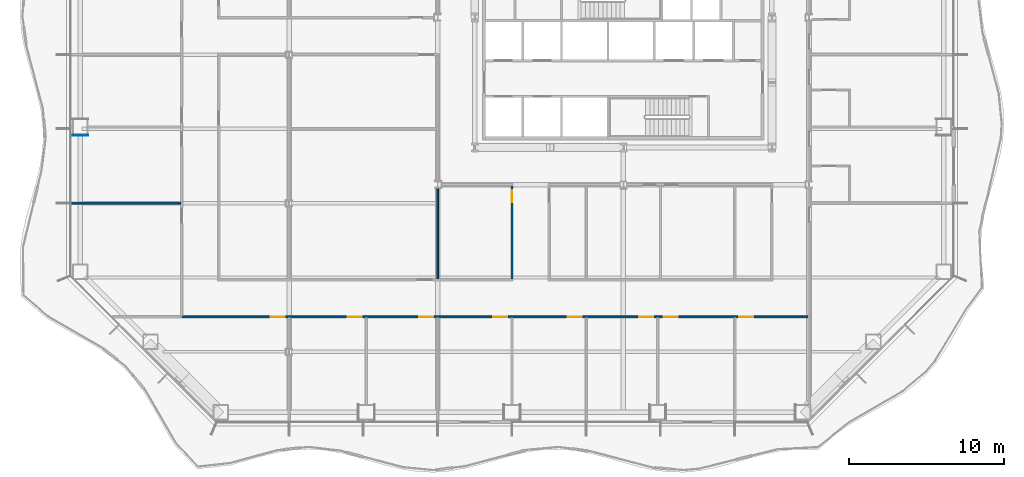
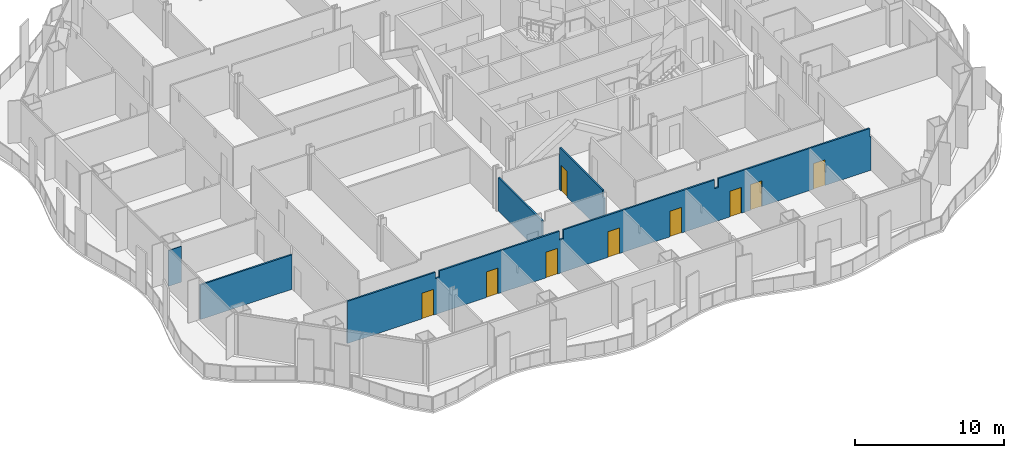
# One storey, part 7 of 21: 9 doors, 5 walls, 9 openings.
"""IFC4 building model written with IfcOpenShell, lengths in metres."""

from ifc_helpers import new_model, si_unit, direction, frame, frame_2d, origin, place, context, subcontext, project, spatial, polyline, rectangle, outline, extrude, material, layer, layer_set, type_object, element, fill, save


model = new_model("IFC4")

# Units and contexts
model_context = context("Model", 3, precision=1e-05, world=origin(), true_north=direction((0.0, 1.0)))
body_context = subcontext(model_context, "Body", "Model", "MODEL_VIEW")
ifc_project = project(units=[si_unit("LENGTHUNIT", "METRE"), si_unit("AREAUNIT", "SQUARE_METRE"), si_unit("VOLUMEUNIT", "CUBIC_METRE"), si_unit("PLANEANGLEUNIT", "RADIAN"), si_unit("MASSUNIT", "GRAM", prefix="KILO")], contexts=[model_context])

# Site, building, storey
site_placement = place(None, origin())
site = spatial("IfcSite", under=ifc_project, at=site_placement, CompositionType="ELEMENT")
building_placement = place(site_placement, origin())
building = spatial("IfcBuilding", under=site, at=building_placement, Name="Cairn Pilgrim Tower", CompositionType="ELEMENT")
storey_placement = place(building_placement, frame((0.0, 0.0, 54.60009765625)))
storey = spatial("IfcBuildingStorey", under=building, at=storey_placement, Name="L11", CompositionType="ELEMENT", Elevation=54.60009765625)

# Wall, openings, doors
ifc_material_1 = material(Name="Gypsum partition")
ifc_layer_1 = layer(ifc_material_1, 0.125)
ifc_layer_set_1 = layer_set([ifc_layer_1], Name="PARTITION 125 DRYWALL EI 60")
wall_type_1 = type_object("IfcWallType", Name="PARTITION 125 DRYWALL EI 60", PredefinedType="PARTITIONING", material=ifc_layer_set_1)
wall_1_placement = place(storey_placement, frame((-21.35009765625, -16.949951171875, 0.0), z_axis=(0.0, 0.0, 1.0), x_axis=(1.0, 0.0, 0.0)))
wall_1 = element("IfcWall", 1, at=wall_1_placement, inside=storey, type_object=wall_type_1, Name="PARTITION W013", PredefinedType="PARTITIONING", context=body_context, shape_type="SweptSolid", body=[
    extrude(outline(polyline([(0.0, 0.0), (40.487548828125, 0.0), (40.487548828125, 2.72998046875), (40.39990234375, 2.72998046875), (40.39794921875, 3.449951171875), (28.699951171875, 3.449951171875), (28.697998046875, 2.72998046875), (28.39990234375, 2.72998046875), (28.39794921875, 3.449951171875), (16.699951171875, 3.449951171875), (16.697998046875, 2.72998046875), (16.39990234375, 2.72998046875), (16.39794921875, 3.449951171875), (7.10009765625, 3.449951171875), (7.097900390625, 2.929931640625), (6.800048828125, 2.929931640625), (6.798095703125, 3.449951171875), (0.0, 3.449951171875), (0.0, 0.0)])), frame((0.0, 0.0625, 0.0), z_axis=(0.0, -1.0, 0.0), x_axis=(1.0, 0.0, 0.0)), (0.0, 0.0, 1.0), 0.125),
])
opening_1_placement = place(wall_1_placement, frame((5.75, 0.0, 0.0)))
opening_1 = element("IfcOpeningElement", 2, at=opening_1_placement, cuts=wall_1, Name="Opening 1101", PredefinedType="OPENING", context=body_context, shape_type="SweptSolid", body=[
    extrude(rectangle(XDim=0.89990234375, YDim=2.10009765625, at=frame_2d((0.449951171875, 1.050048828125))), frame((0.0, 0.072509765625, 0.0), z_axis=(0.0, -1.0, 0.0), x_axis=(1.0, 0.0, 0.0)), (0.0, 0.0, 1.0), 0.14501953125),
])
opening_2_placement = place(wall_1_placement, frame((10.736083984375, 0.0, 0.0)))
opening_2 = element("IfcOpeningElement", 3, at=opening_2_placement, cuts=wall_1, Name="Opening 1102", PredefinedType="OPENING", context=body_context, shape_type="SweptSolid", body=[
    extrude(rectangle(XDim=0.89990234375, YDim=2.10009765625, at=frame_2d((0.449951171875, 1.050048828125))), frame((0.0, 0.072509765625, 0.0), z_axis=(0.0, -1.0, 0.0), x_axis=(1.0, 0.0, 0.0)), (0.0, 0.0, 1.0), 0.14501953125),
])
opening_3_placement = place(wall_1_placement, frame((15.35009765625, 0.0, 0.0)))
opening_3 = element("IfcOpeningElement", 4, at=opening_3_placement, cuts=wall_1, Name="Opening 1103", PredefinedType="OPENING", context=body_context, shape_type="SweptSolid", body=[
    extrude(rectangle(XDim=0.89990234375, YDim=2.10009765625, at=frame_2d((0.449951171875, 1.050048828125))), frame((0.0, 0.072509765625, 0.0), z_axis=(0.0, -1.0, 0.0), x_axis=(1.0, 0.0, 0.0)), (0.0, 0.0, 1.0), 0.14501953125),
])
opening_4_placement = place(wall_1_placement, frame((20.14990234375, 0.0, 0.0)))
opening_4 = element("IfcOpeningElement", 5, at=opening_4_placement, cuts=wall_1, Name="Opening 1104", PredefinedType="OPENING", context=body_context, shape_type="SweptSolid", body=[
    extrude(rectangle(XDim=0.89990234375, YDim=2.10009765625, at=frame_2d((0.449951171875, 1.050048828125))), frame((0.0, 0.072509765625, 0.0), z_axis=(0.0, -1.0, 0.0), x_axis=(1.0, 0.0, 0.0)), (0.0, 0.0, 1.0), 0.14501953125),
])
opening_5_placement = place(wall_1_placement, frame((24.949951171875, 0.0, 0.0)))
opening_5 = element("IfcOpeningElement", 6, at=opening_5_placement, cuts=wall_1, Name="Opening 1105", PredefinedType="OPENING", context=body_context, shape_type="SweptSolid", body=[
    extrude(rectangle(XDim=0.89990234375, YDim=2.10009765625, at=frame_2d((0.449951171875, 1.050048828125))), frame((0.0, 0.072509765625, 0.0), z_axis=(0.0, -1.0, 0.0), x_axis=(1.0, 0.0, 0.0)), (0.0, 0.0, 1.0), 0.14501953125),
])
opening_6_placement = place(wall_1_placement, frame((29.56396484375, 0.0, 0.0)))
opening_6 = element("IfcOpeningElement", 7, at=opening_6_placement, cuts=wall_1, Name="Opening 1106", PredefinedType="OPENING", context=body_context, shape_type="SweptSolid", body=[
    extrude(rectangle(XDim=0.89990234375, YDim=2.10009765625, at=frame_2d((0.449951171875, 1.050048828125))), frame((0.0, 0.072509765625, 0.0), z_axis=(0.0, -1.0, 0.0), x_axis=(1.0, 0.0, 0.0)), (0.0, 0.0, 1.0), 0.14501953125),
])
opening_7_placement = place(wall_1_placement, frame((31.14990234375, 0.0, 0.0)))
opening_7 = element("IfcOpeningElement", 8, at=opening_7_placement, cuts=wall_1, Name="Opening 1107", PredefinedType="OPENING", context=body_context, shape_type="SweptSolid", body=[
    extrude(rectangle(XDim=0.89990234375, YDim=2.10009765625, at=frame_2d((0.449951171875, 1.050048828125))), frame((0.0, 0.072509765625, 0.0), z_axis=(0.0, -1.0, 0.0), x_axis=(1.0, 0.0, 0.0)), (0.0, 0.0, 1.0), 0.14501953125),
])
opening_8_placement = place(wall_1_placement, frame((36.050048828125, 0.0, 0.0)))
opening_8 = element("IfcOpeningElement", 9, at=opening_8_placement, cuts=wall_1, Name="Opening 1108", PredefinedType="OPENING", context=body_context, shape_type="SweptSolid", body=[
    extrude(rectangle(XDim=0.89990234375, YDim=2.10009765625, at=frame_2d((0.449951171875, 1.050048828125))), frame((0.0, 0.072509765625, 0.0), z_axis=(0.0, -1.0, 0.0), x_axis=(1.0, 0.0, 0.0)), (0.0, 0.0, 1.0), 0.14501953125),
])
ifc_material_2 = material(Name="Steel-faced fire door leaf", Category="steel")
door_type_1 = type_object("IfcDoorType", Name="FIRE DOOR 900x2100 FD30S", OperationType="NOTDEFINED", PredefinedType="DOOR", material=ifc_material_2)
door_1_placement = place(opening_1_placement, frame((0.89990234375, 0.0, 0.0), z_axis=(0.0, 0.0, 1.0), x_axis=(-1.0, 0.0, 0.0)))
door_1 = element("IfcDoor", 10, at=door_1_placement, inside=storey, type_object=door_type_1, Name="DOOR 1101", OperationType="SINGLE_SWING_RIGHT", OverallHeight=2.10009765625, OverallWidth=0.89990234375, PredefinedType="DOOR", context=body_context, shape_type="SweptSolid", body=[
    extrude(rectangle(XDim=0.89990234375, YDim=2.10009765625, at=frame_2d((0.449951171875, 1.050048828125))), frame((0.0, 0.02490234375, 0.0), z_axis=(0.0, -1.0, 0.0), x_axis=(1.0, 0.0, 0.0)), (0.0, 0.0, 1.0), 0.050048828125),
])
fill(opening_1, door_1)
door_2_placement = place(opening_2_placement, frame((0.89990234375, 0.0, 0.0), z_axis=(0.0, 0.0, 1.0), x_axis=(-1.0, 0.0, 0.0)))
door_2 = element("IfcDoor", 11, at=door_2_placement, inside=storey, type_object=door_type_1, Name="DOOR 1102", OperationType="SINGLE_SWING_LEFT", OverallHeight=2.10009765625, OverallWidth=0.89990234375, PredefinedType="DOOR", context=body_context, shape_type="SweptSolid", body=[
    extrude(rectangle(XDim=0.89990234375, YDim=2.10009765625, at=frame_2d((0.449951171875, 1.050048828125))), frame((0.0, 0.02490234375, 0.0), z_axis=(0.0, -1.0, 0.0), x_axis=(1.0, 0.0, 0.0)), (0.0, 0.0, 1.0), 0.050048828125),
])
fill(opening_2, door_2)
door_3_placement = place(opening_3_placement, frame((0.89990234375, 0.0, 0.0), z_axis=(0.0, 0.0, 1.0), x_axis=(-1.0, 0.0, 0.0)))
door_3 = element("IfcDoor", 12, at=door_3_placement, inside=storey, type_object=door_type_1, Name="DOOR 1103", OperationType="SINGLE_SWING_RIGHT", OverallHeight=2.10009765625, OverallWidth=0.89990234375, PredefinedType="DOOR", context=body_context, shape_type="SweptSolid", body=[
    extrude(rectangle(XDim=0.89990234375, YDim=2.10009765625, at=frame_2d((0.449951171875, 1.050048828125))), frame((0.0, 0.02490234375, 0.0), z_axis=(0.0, -1.0, 0.0), x_axis=(1.0, 0.0, 0.0)), (0.0, 0.0, 1.0), 0.050048828125),
])
fill(opening_3, door_3)
door_4_placement = place(opening_4_placement, frame((0.89990234375, 0.0, 0.0), z_axis=(0.0, 0.0, 1.0), x_axis=(-1.0, 0.0, 0.0)))
door_4 = element("IfcDoor", 13, at=door_4_placement, inside=storey, type_object=door_type_1, Name="DOOR 1104", OperationType="SINGLE_SWING_LEFT", OverallHeight=2.10009765625, OverallWidth=0.89990234375, PredefinedType="DOOR", context=body_context, shape_type="SweptSolid", body=[
    extrude(rectangle(XDim=0.89990234375, YDim=2.10009765625, at=frame_2d((0.449951171875, 1.050048828125))), frame((0.0, 0.02490234375, 0.0), z_axis=(0.0, -1.0, 0.0), x_axis=(1.0, 0.0, 0.0)), (0.0, 0.0, 1.0), 0.050048828125),
])
fill(opening_4, door_4)
door_5_placement = place(opening_5_placement, frame((0.89990234375, 0.0, 0.0), z_axis=(0.0, 0.0, 1.0), x_axis=(-1.0, 0.0, 0.0)))
door_5 = element("IfcDoor", 14, at=door_5_placement, inside=storey, type_object=door_type_1, Name="DOOR 1105", OperationType="SINGLE_SWING_RIGHT", OverallHeight=2.10009765625, OverallWidth=0.89990234375, PredefinedType="DOOR", context=body_context, shape_type="SweptSolid", body=[
    extrude(rectangle(XDim=0.89990234375, YDim=2.10009765625, at=frame_2d((0.449951171875, 1.050048828125))), frame((0.0, 0.02490234375, 0.0), z_axis=(0.0, -1.0, 0.0), x_axis=(1.0, 0.0, 0.0)), (0.0, 0.0, 1.0), 0.050048828125),
])
fill(opening_5, door_5)
door_6_placement = place(opening_6_placement, frame((0.89990234375, 0.0, 0.0), z_axis=(0.0, 0.0, 1.0), x_axis=(-1.0, 0.0, 0.0)))
door_6 = element("IfcDoor", 15, at=door_6_placement, inside=storey, type_object=door_type_1, Name="DOOR 1106", OperationType="SINGLE_SWING_LEFT", OverallHeight=2.10009765625, OverallWidth=0.89990234375, PredefinedType="DOOR", context=body_context, shape_type="SweptSolid", body=[
    extrude(rectangle(XDim=0.89990234375, YDim=2.10009765625, at=frame_2d((0.449951171875, 1.050048828125))), frame((0.0, 0.02490234375, 0.0), z_axis=(0.0, -1.0, 0.0), x_axis=(1.0, 0.0, 0.0)), (0.0, 0.0, 1.0), 0.050048828125),
])
fill(opening_6, door_6)
door_7_placement = place(opening_7_placement, frame((0.89990234375, 0.0, 0.0), z_axis=(0.0, 0.0, 1.0), x_axis=(-1.0, 0.0, 0.0)))
door_7 = element("IfcDoor", 16, at=door_7_placement, inside=storey, type_object=door_type_1, Name="DOOR 1107", OperationType="SINGLE_SWING_RIGHT", OverallHeight=2.10009765625, OverallWidth=0.89990234375, PredefinedType="DOOR", context=body_context, shape_type="SweptSolid", body=[
    extrude(rectangle(XDim=0.89990234375, YDim=2.10009765625, at=frame_2d((0.449951171875, 1.050048828125))), frame((0.0, 0.02490234375, 0.0), z_axis=(0.0, -1.0, 0.0), x_axis=(1.0, 0.0, 0.0)), (0.0, 0.0, 1.0), 0.050048828125),
])
fill(opening_7, door_7)
door_8_placement = place(opening_8_placement, frame((0.89990234375, 0.0, 0.0), z_axis=(0.0, 0.0, 1.0), x_axis=(-1.0, 0.0, 0.0)))
door_8 = element("IfcDoor", 17, at=door_8_placement, inside=storey, type_object=door_type_1, Name="DOOR 1108", OperationType="SINGLE_SWING_LEFT", OverallHeight=2.10009765625, OverallWidth=0.89990234375, PredefinedType="DOOR", context=body_context, shape_type="SweptSolid", body=[
    extrude(rectangle(XDim=0.89990234375, YDim=2.10009765625, at=frame_2d((0.449951171875, 1.050048828125))), frame((0.0, 0.02490234375, 0.0), z_axis=(0.0, -1.0, 0.0), x_axis=(1.0, 0.0, 0.0)), (0.0, 0.0, 1.0), 0.050048828125),
])
fill(opening_8, door_8)

# Wall
wall_2_placement = place(storey_placement, frame((-4.800048828125, -14.487548828125, 0.0), z_axis=(0.0, 0.0, 1.0), x_axis=(0.0, 1.0, 0.0)))
element("IfcWall", 18, at=wall_2_placement, inside=storey, type_object=wall_type_1, Name="PARTITION W020", PredefinedType="PARTITIONING", context=body_context, shape_type="SweptSolid", body=[
    extrude(rectangle(XDim=5.8505859375, YDim=0.125, at=frame_2d((2.92529296875, 0.0))), origin(), (0.0, 0.0, 1.0), 2.72998046875),
])

# Wall, opening, door
wall_3_placement = place(storey_placement, frame((0.0, -14.487548828125, 0.0), z_axis=(0.0, 0.0, 1.0), x_axis=(0.0, 1.0, 0.0)))
wall_3 = element("IfcWall", 19, at=wall_3_placement, inside=storey, type_object=wall_type_1, Name="PARTITION W021", PredefinedType="PARTITIONING", context=body_context, shape_type="SweptSolid", body=[
    extrude(outline(polyline([(0.0, 0.0), (6.025146484375, 0.0), (6.02490234375, 2.829833984375), (5.9375, 2.829833984375), (5.935546875, 3.449951171875), (0.1923828125, 3.449951171875), (0.1904296875, 2.8798828125), (0.0, 2.8798828125), (0.0, 0.0)])), frame((0.0, 0.0625, 0.0), z_axis=(0.0, -1.0, 0.0), x_axis=(1.0, 0.0, 0.0)), (0.0, 0.0, 1.0), 0.125),
])
opening_9_placement = place(wall_3_placement, frame((4.9375, 0.0, 0.0)))
opening_9 = element("IfcOpeningElement", 20, at=opening_9_placement, cuts=wall_3, Name="Opening 1134", PredefinedType="OPENING", context=body_context, shape_type="SweptSolid", body=[
    extrude(rectangle(XDim=0.800048828125, YDim=2.10009765625, at=frame_2d((0.39990234375, 1.050048828125))), frame((0.0, 0.072509765625, 0.0), z_axis=(0.0, -1.0, 0.0), x_axis=(1.0, 0.0, 0.0)), (0.0, 0.0, 1.0), 0.14501953125),
])
door_type_2 = type_object("IfcDoorType", Name="FIRE DOOR 800x2100 FD30S", OperationType="NOTDEFINED", PredefinedType="DOOR", material=ifc_material_2)
door_9_placement = place(opening_9_placement, origin())
door_9 = element("IfcDoor", 21, at=door_9_placement, inside=storey, type_object=door_type_2, Name="DOOR 1134", OperationType="SINGLE_SWING_LEFT", OverallHeight=2.10009765625, OverallWidth=0.800048828125, PredefinedType="DOOR", context=body_context, shape_type="SweptSolid", body=[
    extrude(rectangle(XDim=0.800048828125, YDim=2.10009765625, at=frame_2d((0.39990234375, 1.050048828125))), frame((0.0, 0.02490234375, 0.0), z_axis=(0.0, -1.0, 0.0), x_axis=(1.0, 0.0, 0.0)), (0.0, 0.0, 1.0), 0.050048828125),
])
fill(opening_9, door_9)

# Walls
wall_4_placement = place(storey_placement, frame((-28.489990234375, -9.60009765625, 0.0), z_axis=(0.0, 0.0, 1.0), x_axis=(1.0, 0.0, 0.0)))
element("IfcWall", 22, at=wall_4_placement, inside=storey, type_object=wall_type_1, Name="PARTITION W027", PredefinedType="PARTITIONING", context=body_context, shape_type="SweptSolid", body=[
    extrude(rectangle(XDim=7.077392578125, YDim=0.125, at=frame_2d((3.53857421875, 0.0))), origin(), (0.0, 0.0, 1.0), 2.829833984375),
])
ifc_layer_2 = layer(ifc_material_1, 0.050048828125)
ifc_layer_set_2 = layer_set([ifc_layer_2], Name="PARTITION 50 DRYWALL EI 60")
wall_type_2 = type_object("IfcWallType", Name="PARTITION 50 DRYWALL EI 60", PredefinedType="PARTITIONING", material=ifc_layer_set_2)
wall_5_placement = place(storey_placement, frame((-28.39990234375, -5.20068359375, 0.0), z_axis=(0.0, 0.0, 1.0), x_axis=(1.0, 0.0, 0.0)))
element("IfcWall", 23, at=wall_5_placement, inside=storey, type_object=wall_type_2, Name="COLUMN CASING WC18", PredefinedType="PARTITIONING", context=body_context, shape_type="SweptSolid", body=[
    extrude(rectangle(XDim=1.0, YDim=0.050048828125, at=frame_2d((0.5, 0.0))), origin(), (0.0, 0.0, 1.0), 2.929931640625),
])

save(model, "model.ifc")
